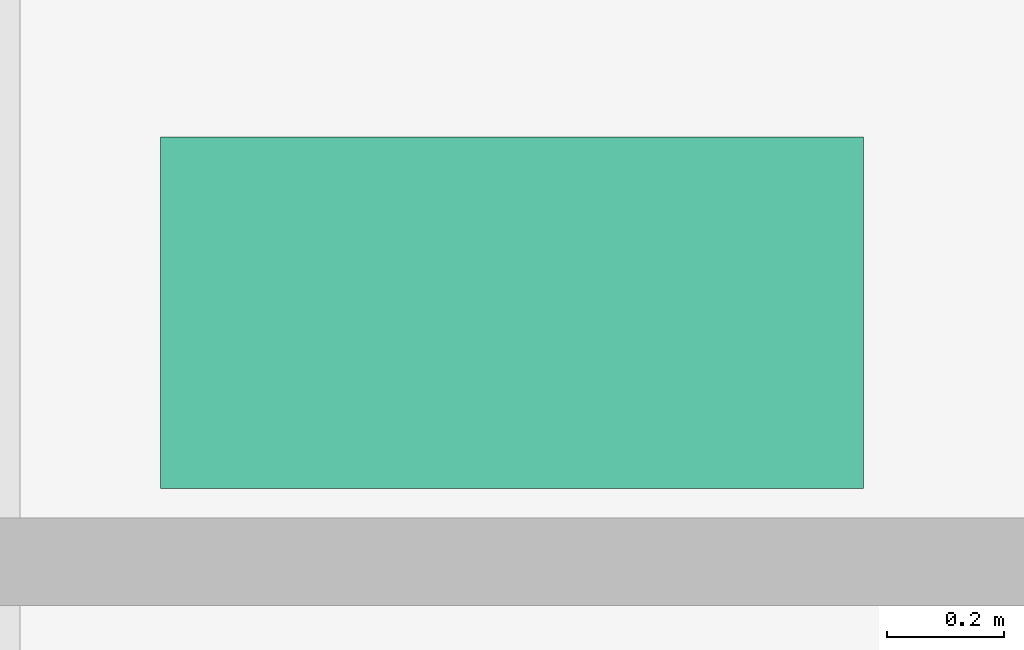
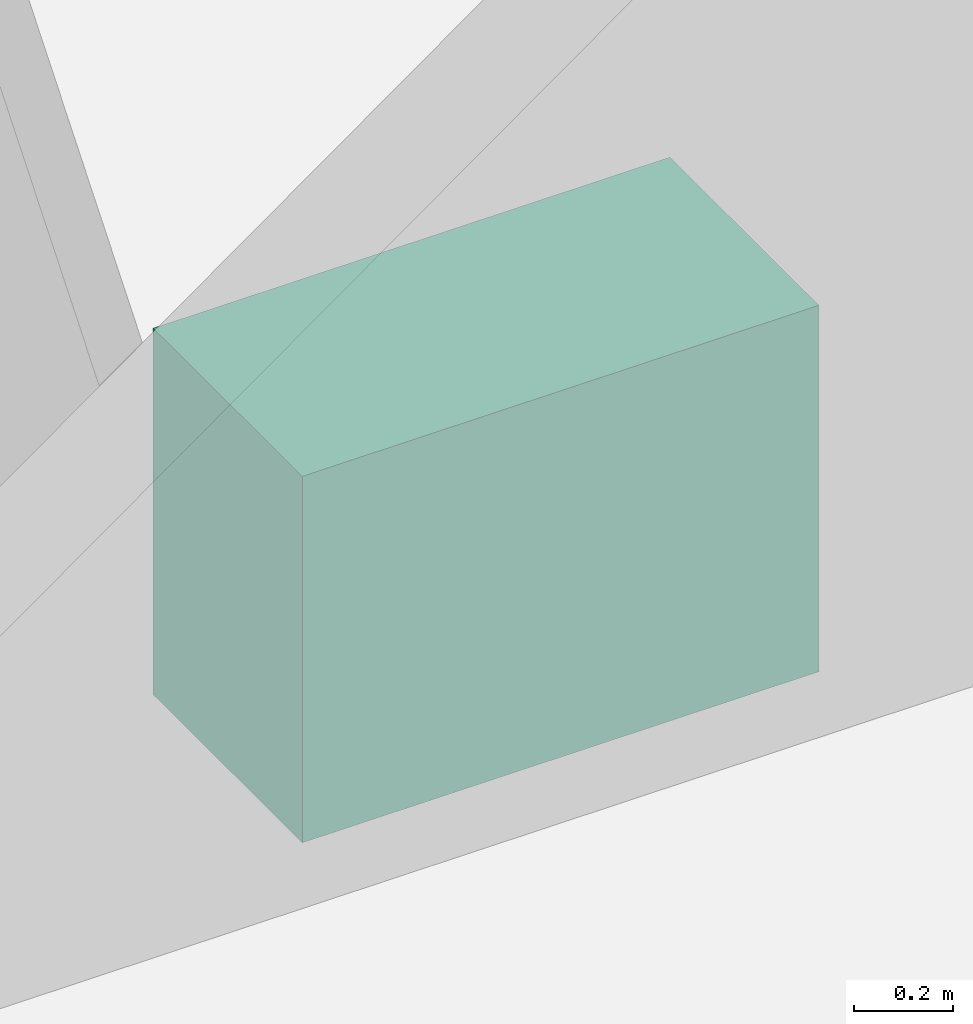
# One storey, part 12 of 12: 1 sanitary terminal.
"""IFC4 building model written with IfcOpenShell, lengths in metres."""

import ifcopenshell
import ifcopenshell.guid

model = None  # the IFC model being written
_history = None  # IfcOwnerHistory: only IFC2X3 demands one
_inside = {}  # id of a spatial element -> (the spatial element, [elements in it])
_under = {}  # id of a project, library or spatial element -> (it, [spatial elements below it])
_declared = {}  # id of a project -> (the project, [libraries it declares])
_typed = {}  # id of a type object -> (the type object, [elements of that type])
_made_of = {}  # id of a material, layer set ... -> (it, [elements and type objects made of it])


def new_model(schema):
    """Start an empty IFC model of exactly this schema.

    Asked for "IFC4X3", IfcOpenShell would pick the latest addendum, in which some entities
    have other attributes; the version numbers below select the first issue.
    IFC2X3 requires an IfcOwnerHistory on every rooted entity: one is made here for all.
    """
    global model, _history
    if schema == "IFC4X3":
        model = ifcopenshell.file(schema_version=(4, 3, 0, 0))
    else:
        model = ifcopenshell.file(schema=schema)
    _inside.clear()
    _under.clear()
    _declared.clear()
    _typed.clear()
    _made_of.clear()
    _history = None
    if model.schema == "IFC2X3":
        org = make("IfcOrganization", Name="unknown")
        user = make(
            "IfcPersonAndOrganization",
            ThePerson=make("IfcPerson", FamilyName="unknown"),
            TheOrganization=org,
        )
        app = make(
            "IfcApplication",
            ApplicationDeveloper=org,
            Version="unknown",
            ApplicationFullName="unknown",
            ApplicationIdentifier="unknown",
        )
        _history = make(
            "IfcOwnerHistory",
            OwningUser=user,
            OwningApplication=app,
            ChangeAction="ADDED",
            CreationDate=0,
        )
    return model


def make(cls, **values):
    """One entity of the class cls with the attributes given. An attribute that is None is left unset."""
    return model.create_entity(
        cls, **{name: value for name, value in values.items() if value is not None}
    )


def rooted(cls, **values):
    """An entity with a GlobalId (a new one), such as an element, a storey or a relation."""
    return make(cls, GlobalId=ifcopenshell.guid.new(), OwnerHistory=_history, **values)


def si_unit(unit_type, name, prefix=None):
    """IfcSIUnit, for example si_unit("LENGTHUNIT", "METRE", prefix="MILLI")."""
    return make("IfcSIUnit", UnitType=unit_type, Prefix=prefix, Name=name)


def assignment(units):
    """IfcUnitAssignment: the units of a project."""
    return None if units is None else make("IfcUnitAssignment", Units=units)


def point(xyz):
    """IfcCartesianPoint."""
    return None if xyz is None else make("IfcCartesianPoint", Coordinates=xyz)


def direction(xyz):
    """IfcDirection."""
    return None if xyz is None else make("IfcDirection", DirectionRatios=xyz)


def frame(location, z_axis=None, x_axis=None):
    """IfcAxis2Placement3D, a coordinate frame: its origin and axes. An axis left out is left unset."""
    return make(
        "IfcAxis2Placement3D",
        Location=point(location),
        Axis=direction(z_axis),
        RefDirection=direction(x_axis),
    )


def frame_2d(location, x_axis=None):
    """IfcAxis2Placement2D, a coordinate frame in the plane: its origin and x axis."""
    return make(
        "IfcAxis2Placement2D", Location=point(location), RefDirection=direction(x_axis)
    )


def origin():
    """The frame at (0, 0, 0) with its axes left unset."""
    return frame((0.0, 0.0, 0.0))


def origin_2d():
    """The frame at (0, 0) in the plane with its x axis left unset."""
    return frame_2d((0.0, 0.0))


def place(relative_to, where):
    """IfcLocalPlacement: puts the frame where relative to a parent placement (None: the world)."""
    return make(
        "IfcLocalPlacement", PlacementRelTo=relative_to, RelativePlacement=where
    )


def context(
    kind, dimensions, precision=None, world=None, true_north=None, identifier=None
):
    """IfcGeometricRepresentationContext, for example the 3D "Model" context."""
    return make(
        "IfcGeometricRepresentationContext",
        ContextIdentifier=identifier,
        ContextType=kind,
        CoordinateSpaceDimension=dimensions,
        Precision=precision,
        WorldCoordinateSystem=world,
        TrueNorth=true_north,
    )


def subcontext(parent, identifier, kind, view, scale=None):
    """IfcGeometricRepresentationSubContext, for example "Body" below "Model"."""
    return make(
        "IfcGeometricRepresentationSubContext",
        ContextIdentifier=identifier,
        ContextType=kind,
        ParentContext=parent,
        TargetScale=scale,
        TargetView=view,
    )


def project(units=None, contexts=None):
    """IfcProject with its units and contexts."""
    return rooted(
        "IfcProject",
        Name="project",
        RepresentationContexts=contexts,
        UnitsInContext=assignment(units),
    )


def spatial(cls, under=None, at=None, **own):
    """A site, building, storey or space (cls), placed at a placement, below another one or the project."""
    s = rooted(cls, ObjectPlacement=at, **own)
    if under is not None:
        _under.setdefault(under.id(), (under, []))[1].append(s)
    return s


def profile(cls, at=None, kind="AREA", **sizes):
    """A parametric profile (cls). Its sizes go by their IFC names, for example OverallWidth=200.0."""
    return make(cls, ProfileType=kind, Position=at, **sizes)


def rectangle(**sizes):
    """IfcRectangleProfileDef."""
    return profile("IfcRectangleProfileDef", **sizes)


def extrude(swept, where, along, depth):
    """IfcExtrudedAreaSolid: the profile swept, set in the frame where, extruded along a direction by depth."""
    return make(
        "IfcExtrudedAreaSolid",
        SweptArea=swept,
        Position=where,
        ExtrudedDirection=direction(along),
        Depth=depth,
    )


def shape(context_of_items, identifier, shape_type, items):
    """IfcShapeRepresentation: the items that make up one representation, for example the "Body"."""
    return make(
        "IfcShapeRepresentation",
        ContextOfItems=context_of_items,
        RepresentationIdentifier=identifier,
        RepresentationType=shape_type,
        Items=items,
    )


def material(Name=None, Category=None):
    """IfcMaterial."""
    return make("IfcMaterial", Name=Name, Category=Category)


def made_of(thing, what):
    """Note that an element or type object is made of a material, layer set ...; save() writes the relation."""
    if what is not None:
        _made_of.setdefault(what.id(), (what, []))[1].append(thing)
    return thing


def type_object(cls, material=None, **own):
    """A type object (cls), such as IfcWallType, which elements share."""
    return made_of(rooted(cls, **own), material)


def element(
    cls,
    number,
    at=None,
    inside=None,
    cuts=None,
    type_object=None,
    material=None,
    context=None,
    identifier="Body",
    shape_type=None,
    held_by="IfcProductDefinitionShape",
    body=None,
    shapes=None,
    **own,
):
    """One element of the class cls, such as IfcWall. Its Tag is "e" and its number.

    at: its placement. inside: the storey or other place that contains it. cuts: it is an
    opening in that element (IfcRelVoidsElement). A single representation is given by context,
    identifier, shape_type and body (its items); several are given by shapes. held_by: the class
    of the entity that holds the representations. save() writes the other relations.
    """
    e = rooted(cls, Tag="e%d" % number, ObjectPlacement=at, **own)
    if body is not None:
        shapes = [shape(context, identifier, shape_type, body)]
    if shapes is not None:
        e.Representation = make(held_by, Representations=shapes)
    if inside is not None:
        _inside.setdefault(inside.id(), (inside, []))[1].append(e)
    if cuts is not None:
        rooted(
            "IfcRelVoidsElement", RelatingBuildingElement=cuts, RelatedOpeningElement=e
        )
    if type_object is not None:
        _typed.setdefault(type_object.id(), (type_object, []))[1].append(e)
    return made_of(e, material)


def aggregate(whole, parts):
    """IfcRelAggregates: a whole, such as a stair, and the parts it consists of."""
    return rooted("IfcRelAggregates", RelatingObject=whole, RelatedObjects=parts)


def save(model, path):
    """Write the relations noted so far, then the file.

    IfcRelAggregates (storeys below a building ...), IfcRelContainedInSpatialStructure (elements
    in a storey), IfcRelDefinesByType, IfcRelAssociatesMaterial and IfcRelDeclares: one each for
    every whole, place, type object, material and project.
    """
    for whole, parts in _under.values():
        aggregate(whole, parts)
    for where, things in _inside.values():
        rooted(
            "IfcRelContainedInSpatialStructure",
            RelatedElements=things,
            RelatingStructure=where,
        )
    for kind, things in _typed.values():
        rooted("IfcRelDefinesByType", RelatedObjects=things, RelatingType=kind)
    for what, things in _made_of.values():
        rooted("IfcRelAssociatesMaterial", RelatedObjects=things, RelatingMaterial=what)
    for by, libraries in _declared.values():
        rooted("IfcRelDeclares", RelatingContext=by, RelatedDefinitions=libraries)
    model.write(path)


model = new_model("IFC4")

# Units and contexts
model_context = context("Model", 3, precision=1e-05, world=origin(), true_north=direction((0.0, 1.0)))
body_context = subcontext(model_context, "Body", "Model", "MODEL_VIEW")
ifc_project = project(units=[si_unit("LENGTHUNIT", "METRE"), si_unit("AREAUNIT", "SQUARE_METRE"), si_unit("VOLUMEUNIT", "CUBIC_METRE"), si_unit("PLANEANGLEUNIT", "RADIAN"), si_unit("MASSUNIT", "GRAM", prefix="KILO")], contexts=[model_context])

# Site, building, storey
site_placement = place(None, origin())
site = spatial("IfcSite", under=ifc_project, at=site_placement, CompositionType="ELEMENT")
building_placement = place(site_placement, origin())
building = spatial("IfcBuilding", under=site, at=building_placement, Name="Tessera Gate Towers", CompositionType="ELEMENT")
storey_placement = place(building_placement, frame((0.0, 0.0, 124.0)))
storey = spatial("IfcBuildingStorey", under=building, at=storey_placement, Name="L30", CompositionType="ELEMENT", Elevation=124.0)

# Sanitary terminal
ifc_material = material(Name="Vitreous china")
sanitary_terminal_type = type_object("IfcSanitaryTerminalType", Name="LABORATORY SINK 1200x600", PredefinedType="SINK", material=ifc_material)
sanitary_terminal_placement = place(storey_placement, frame((57.85009765625, 14.52490234375, 0.0), z_axis=(0.0, 0.0, 1.0), x_axis=(1.0, 0.0, 0.0)))
element("IfcSanitaryTerminal", 1, at=sanitary_terminal_placement, inside=storey, type_object=sanitary_terminal_type, Name="Laboratory sink", PredefinedType="SINK", context=body_context, shape_type="SweptSolid", body=[
    extrude(rectangle(XDim=1.199951171875, YDim=0.60009765625, at=origin_2d()), origin(), (0.0, 0.0, 1.0), 0.89990234375),
])

save(model, "model.ifc")
